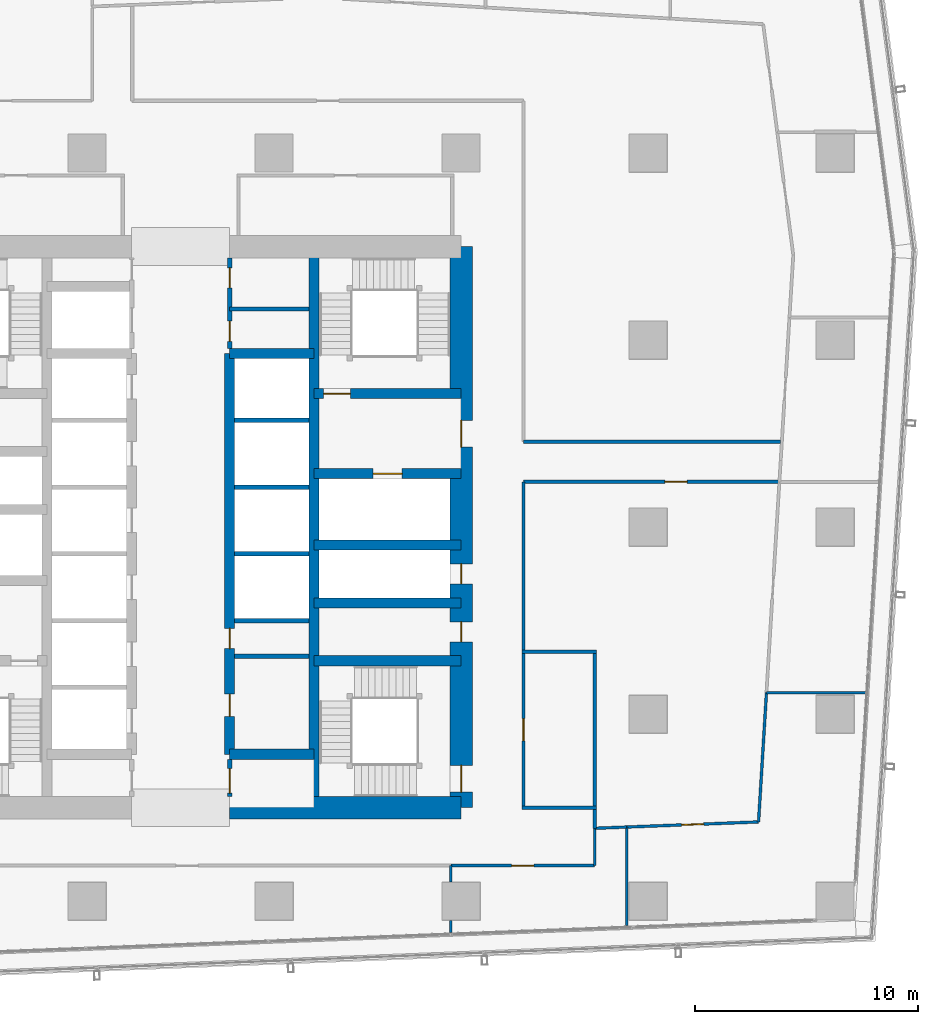
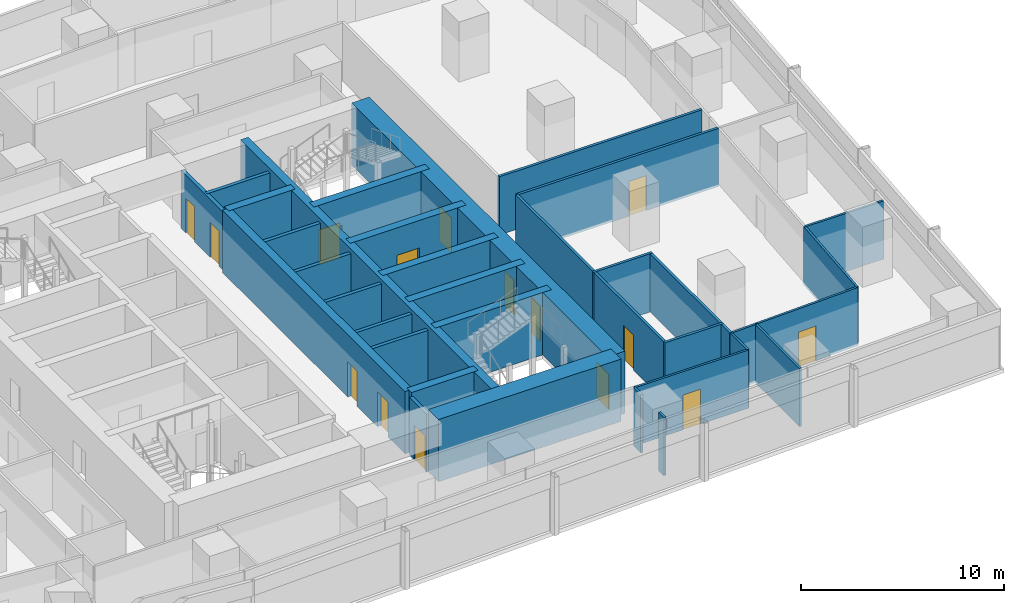
# One storey, part 30 of 40: 36 walls, 15 doors, 15 openings.
"""IFC4 building model written with IfcOpenShell, lengths in metres."""

from ifc_helpers import new_model, si_unit, direction, frame, frame_2d, origin, place, context, subcontext, project, spatial, rectangle, extrude, material, layer, layer_set, type_object, element, fill, save


model = new_model("IFC4")

# Units and contexts
model_context = context("Model", 3, precision=1e-05, world=origin(), true_north=direction((0.0, 1.0)))
body_context = subcontext(model_context, "Body", "Model", "MODEL_VIEW")
ifc_project = project(units=[si_unit("LENGTHUNIT", "METRE"), si_unit("AREAUNIT", "SQUARE_METRE"), si_unit("VOLUMEUNIT", "CUBIC_METRE"), si_unit("PLANEANGLEUNIT", "RADIAN"), si_unit("MASSUNIT", "GRAM", prefix="KILO")], contexts=[model_context])

# Site, building, storey
site_placement = place(None, origin())
site = spatial("IfcSite", under=ifc_project, at=site_placement, CompositionType="ELEMENT")
building_placement = place(site_placement, origin())
building = spatial("IfcBuilding", under=site, at=building_placement, Name="Rekha Terrace Tower", CompositionType="ELEMENT")
storey_placement = place(building_placement, frame((0.0, 0.0, 110.300048828125)))
storey = spatial("IfcBuildingStorey", under=building, at=storey_placement, Name="L27", CompositionType="ELEMENT", Elevation=110.300048828125)

# Wall
ifc_material_1 = material(Name="Concrete M70", Category="concrete")
ifc_layer_1 = layer(ifc_material_1, 0.449951171875)
ifc_layer_set_1 = layer_set([ifc_layer_1], Name="Concrete M70")
wall_type_1 = type_object("IfcWallType", Name="CI2 450 core internal shear wall", PredefinedType="SHEAR", material=ifc_layer_set_1)
wall_1_placement = place(storey_placement, frame((43.800048828125, 21.0, 0.0), z_axis=(0.0, 0.0, 1.0), x_axis=(0.0, 1.0, 0.0)))
element("IfcWall", 1, at=wall_1_placement, inside=storey, type_object=wall_type_1, Name="Core wall X438 L27", PredefinedType="SHEAR", context=body_context, shape_type="SweptSolid", body=[
    extrude(rectangle(XDim=25.199951171875, YDim=0.449951171875, at=frame_2d((12.60009765625, 0.0))), origin(), (0.0, 0.0, 1.0), 3.75),
])

# Wall, openings, doors
wall_2_placement = place(storey_placement, frame((40.0, 23.39990234375, 0.0), z_axis=(0.0, 0.0, 1.0), x_axis=(0.0, 1.0, 0.0)))
wall_2 = element("IfcWall", 2, at=wall_2_placement, inside=storey, type_object=wall_type_1, Name="Core wall X400 L27", PredefinedType="SHEAR", context=body_context, shape_type="SweptSolid", body=[
    extrude(rectangle(XDim=18.0, YDim=0.449951171875, at=frame_2d((9.0, 0.0))), origin(), (0.0, 0.0, 1.0), 3.75),
])
opening_1_placement = place(wall_2_placement, frame((1.699951171875, 0.0, 0.0)))
opening_1 = element("IfcOpeningElement", 3, at=opening_1_placement, cuts=wall_2, Name="Opening D9", PredefinedType="OPENING", context=body_context, shape_type="SweptSolid", body=[
    extrude(rectangle(XDim=1.0, YDim=2.10009765625, at=frame_2d((0.5, 1.050048828125))), frame((0.0, 0.23486328125, 0.0), z_axis=(0.0, -1.0, 0.0), x_axis=(1.0, 0.0, 0.0)), (0.0, 0.0, 1.0), 0.469970703125),
])
opening_2_placement = place(wall_2_placement, frame((4.75, 0.0, 0.0)))
opening_2 = element("IfcOpeningElement", 4, at=opening_2_placement, cuts=wall_2, Name="Opening D5", PredefinedType="OPENING", context=body_context, shape_type="SweptSolid", body=[
    extrude(rectangle(XDim=0.89990234375, YDim=2.10009765625, at=frame_2d((0.449951171875, 1.050048828125))), frame((0.0, 0.23486328125, 0.0), z_axis=(0.0, -1.0, 0.0), x_axis=(1.0, 0.0, 0.0)), (0.0, 0.0, 1.0), 0.469970703125),
])
ifc_material_2 = material(Name="Steel fire door", Category="steel")
door_type_1 = type_object("IfcDoorType", Name="D5 900x2100 riser access door", OperationType="SINGLE_SWING_LEFT", PredefinedType="DOOR", material=ifc_material_2)
door_1_placement = place(opening_2_placement, origin())
door_1 = element("IfcDoor", 5, at=door_1_placement, inside=storey, type_object=door_type_1, Name="Door records store L27", OperationType="SINGLE_SWING_LEFT", OverallHeight=2.10009765625, OverallWidth=0.89990234375, PredefinedType="DOOR", context=body_context, shape_type="SweptSolid", body=[
    extrude(rectangle(XDim=0.89990234375, YDim=2.10009765625, at=frame_2d((0.449951171875, 1.050048828125))), frame((0.0, 0.02490234375, 0.0), z_axis=(0.0, -1.0, 0.0), x_axis=(1.0, 0.0, 0.0)), (0.0, 0.0, 1.0), 0.050048828125),
])
fill(opening_2, door_1)
ifc_material_3 = material(Name="Timber fire door", Category="wood")
door_type_2 = type_object("IfcDoorType", Name="D9 1000x2100 office door", OperationType="SINGLE_SWING_LEFT", PredefinedType="DOOR", material=ifc_material_3)
door_2_placement = place(opening_1_placement, origin())
door_2 = element("IfcDoor", 6, at=door_2_placement, inside=storey, type_object=door_type_2, Name="Door pantry and vending room L27", OperationType="SINGLE_SWING_LEFT", OverallHeight=2.10009765625, OverallWidth=1.0, PredefinedType="DOOR", context=body_context, shape_type="SweptSolid", body=[
    extrude(rectangle(XDim=1.0, YDim=2.10009765625, at=frame_2d((0.5, 1.050048828125))), frame((0.0, 0.02490234375, 0.0), z_axis=(0.0, -1.0, 0.0), x_axis=(1.0, 0.0, 0.0)), (0.0, 0.0, 1.0), 0.050048828125),
])
fill(opening_1, door_2)

# Walls
for number, where, z_axis, x_axis, name in (
    (7, (40.0, 23.39990234375, 0.0), (0.0, 0.0, 1.0), (1.0, 0.0, 0.0), "Core wall Y234E L27"),
    (8, (40.0, 41.39990234375, 0.0), (0.0, 0.0, 1.0), (1.0, 0.0, 0.0), "Core wall Y414E L27"),
):
    element("IfcWall", number, at=place(storey_placement, frame(where, z_axis=z_axis, x_axis=x_axis)), inside=storey, type_object=wall_type_1, Name=name, PredefinedType="SHEAR", context=body_context, shape_type="SweptSolid", body=[
        extrude(rectangle(XDim=3.800048828125, YDim=0.449951171875, at=frame_2d((1.89990234375, 0.0))), origin(), (0.0, 0.0, 1.0), 3.75),
    ])
for number, where, z_axis, x_axis, name in (
    (9, (43.800048828125, 27.60009765625, 0.0), (0.0, 0.0, 1.0), (1.0, 0.0, 0.0), "Core wall Y276E L27"),
    (10, (43.800048828125, 30.199951171875, 0.0), (0.0, 0.0, 1.0), (1.0, 0.0, 0.0), "Core wall Y302E L27"),
    (11, (43.800048828125, 32.800048828125, 0.0), (0.0, 0.0, 1.0), (1.0, 0.0, 0.0), "Core wall Y328E L27"),
):
    element("IfcWall", number, at=place(storey_placement, frame(where, z_axis=z_axis, x_axis=x_axis)), inside=storey, type_object=wall_type_1, Name=name, PredefinedType="SHEAR", context=body_context, shape_type="SweptSolid", body=[
        extrude(rectangle(XDim=6.599853515625, YDim=0.449951171875, at=frame_2d((3.2998046875, 0.0))), origin(), (0.0, 0.0, 1.0), 3.75),
    ])

# Wall, opening, door
wall_3_placement = place(storey_placement, frame((43.800048828125, 36.0, 0.0), z_axis=(0.0, 0.0, 1.0), x_axis=(1.0, 0.0, 0.0)))
wall_3 = element("IfcWall", 12, at=wall_3_placement, inside=storey, type_object=wall_type_1, Name="Core wall Y360E L27", PredefinedType="SHEAR", context=body_context, shape_type="SweptSolid", body=[
    extrude(rectangle(XDim=6.599853515625, YDim=0.449951171875, at=frame_2d((3.2998046875, 0.0))), origin(), (0.0, 0.0, 1.0), 3.75),
])
opening_3_placement = place(wall_3_placement, frame((2.64990234375, 0.0, 0.0)))
opening_3 = element("IfcOpeningElement", 13, at=opening_3_placement, cuts=wall_3, Name="Opening LD2", PredefinedType="OPENING", context=body_context, shape_type="SweptSolid", body=[
    extrude(rectangle(XDim=1.300048828125, YDim=2.10009765625, at=frame_2d((0.64990234375, 1.050048828125))), frame((0.0, 0.23486328125, 0.0), z_axis=(0.0, -1.0, 0.0), x_axis=(1.0, 0.0, 0.0)), (0.0, 0.0, 1.0), 0.469970703125),
])
ifc_material_4 = material(Name="Stainless steel sliding landing door", Category="steel")
door_type_3 = type_object("IfcDoorType", Name="LD2 1300x2100 fire lift landing door", OperationType="SLIDING_TO_LEFT", PredefinedType="USERDEFINED", material=ifc_material_4)
door_3_placement = place(opening_3_placement, origin())
door_3 = element("IfcDoor", 14, at=door_3_placement, inside=storey, type_object=door_type_3, Name="Lift FL2 landing door L27", ObjectType="LIFT LANDING DOOR", OperationType="SLIDING_TO_LEFT", OverallHeight=2.10009765625, OverallWidth=1.300048828125, PredefinedType="USERDEFINED", context=body_context, shape_type="SweptSolid", body=[
    extrude(rectangle(XDim=1.300048828125, YDim=2.10009765625, at=frame_2d((0.64990234375, 1.050048828125))), frame((0.0, 0.02490234375, 0.0), z_axis=(0.0, -1.0, 0.0), x_axis=(1.0, 0.0, 0.0)), (0.0, 0.0, 1.0), 0.050048828125),
])
fill(opening_3, door_3)

wall_4_placement = place(storey_placement, frame((43.800048828125, 39.60009765625, 0.0), z_axis=(0.0, 0.0, 1.0), x_axis=(1.0, 0.0, 0.0)))
wall_4 = element("IfcWall", 15, at=wall_4_placement, inside=storey, type_object=wall_type_1, Name="Core wall Y396E L27", PredefinedType="SHEAR", context=body_context, shape_type="SweptSolid", body=[
    extrude(rectangle(XDim=6.599853515625, YDim=0.449951171875, at=frame_2d((3.2998046875, 0.0))), origin(), (0.0, 0.0, 1.0), 3.75),
])
opening_4_placement = place(wall_4_placement, frame((0.425048828125, 0.0, 0.0)))
opening_4 = element("IfcOpeningElement", 16, at=opening_4_placement, cuts=wall_4, Name="Opening D1", PredefinedType="OPENING", context=body_context, shape_type="SweptSolid", body=[
    extrude(rectangle(XDim=1.199951171875, YDim=2.10009765625, at=frame_2d((0.60009765625, 1.050048828125))), frame((0.0, 0.23486328125, 0.0), z_axis=(0.0, -1.0, 0.0), x_axis=(1.0, 0.0, 0.0)), (0.0, 0.0, 1.0), 0.469970703125),
])
door_type_4 = type_object("IfcDoorType", Name="D1 1200x2100 stair fire door", OperationType="SINGLE_SWING_RIGHT", PredefinedType="DOOR", material=ifc_material_2)
door_4_placement = place(opening_4_placement, origin())
door_4 = element("IfcDoor", 17, at=door_4_placement, inside=storey, type_object=door_type_4, Name="Stair ST2 door L27", OperationType="SINGLE_SWING_RIGHT", OverallHeight=2.10009765625, OverallWidth=1.199951171875, PredefinedType="DOOR", context=body_context, shape_type="SweptSolid", body=[
    extrude(rectangle(XDim=1.199951171875, YDim=2.10009765625, at=frame_2d((0.60009765625, 1.050048828125))), frame((0.0, 0.02490234375, 0.0), z_axis=(0.0, -1.0, 0.0), x_axis=(1.0, 0.0, 0.0)), (0.0, 0.0, 1.0), 0.050048828125),
])
fill(opening_4, door_4)

# Wall
ifc_layer_2 = layer(ifc_material_1, 1.0)
ifc_layer_set_2 = layer_set([ifc_layer_2], Name="Concrete M70")
wall_type_2 = type_object("IfcWallType", Name="SW2 1000 core outer shear wall", PredefinedType="SHEAR", material=ifc_layer_set_2)
wall_5_placement = place(storey_placement, frame((40.0, 21.0, 0.0), z_axis=(0.0, 0.0, 1.0), x_axis=(1.0, 0.0, 0.0)))
element("IfcWall", 18, at=wall_5_placement, inside=storey, type_object=wall_type_2, Name="Core wall S2 L27", PredefinedType="SHEAR", context=body_context, shape_type="SweptSolid", body=[
    extrude(rectangle(XDim=10.39990234375, YDim=1.0, at=frame_2d((5.199951171875, 0.0))), origin(), (0.0, 0.0, 1.0), 3.75),
])

# Wall, openings, doors
wall_6_placement = place(storey_placement, frame((50.39990234375, 21.0, 0.0), z_axis=(0.0, 0.0, 1.0), x_axis=(0.0, 1.0, 0.0)))
wall_6 = element("IfcWall", 19, at=wall_6_placement, inside=storey, type_object=wall_type_2, Name="Core wall E L27", PredefinedType="SHEAR", context=body_context, shape_type="SweptSolid", body=[
    extrude(rectangle(XDim=25.199951171875, YDim=1.0, at=frame_2d((12.60009765625, 0.0))), origin(), (0.0, 0.0, 1.0), 3.75),
])
opening_5_placement = place(wall_6_placement, frame((16.199951171875, 0.0, 0.0)))
opening_5 = element("IfcOpeningElement", 20, at=opening_5_placement, cuts=wall_6, Name="Opening D2", PredefinedType="OPENING", context=body_context, shape_type="SweptSolid", body=[
    extrude(rectangle(XDim=1.199951171875, YDim=2.10009765625, at=frame_2d((0.60009765625, 1.050048828125))), frame((0.0, 0.510009765625, 0.0), z_axis=(0.0, -1.0, 0.0), x_axis=(1.0, 0.0, 0.0)), (0.0, 0.0, 1.0), 1.02001953125),
])
opening_6_placement = place(wall_6_placement, frame((10.050048828125, 0.0, 0.0)))
opening_6 = element("IfcOpeningElement", 21, at=opening_6_placement, cuts=wall_6, Name="Opening D5", PredefinedType="OPENING", context=body_context, shape_type="SweptSolid", body=[
    extrude(rectangle(XDim=0.89990234375, YDim=2.10009765625, at=frame_2d((0.449951171875, 1.050048828125))), frame((0.0, 0.510009765625, 0.0), z_axis=(0.0, -1.0, 0.0), x_axis=(1.0, 0.0, 0.0)), (0.0, 0.0, 1.0), 1.02001953125),
])
opening_7_placement = place(wall_6_placement, frame((7.449951171875, 0.0, 0.0)))
opening_7 = element("IfcOpeningElement", 22, at=opening_7_placement, cuts=wall_6, Name="Opening D5", PredefinedType="OPENING", context=body_context, shape_type="SweptSolid", body=[
    extrude(rectangle(XDim=0.89990234375, YDim=2.10009765625, at=frame_2d((0.449951171875, 1.050048828125))), frame((0.0, 0.510009765625, 0.0), z_axis=(0.0, -1.0, 0.0), x_axis=(1.0, 0.0, 0.0)), (0.0, 0.0, 1.0), 1.02001953125),
])
opening_8_placement = place(wall_6_placement, frame((0.699951171875, 0.0, 0.0)))
opening_8 = element("IfcOpeningElement", 23, at=opening_8_placement, cuts=wall_6, Name="Opening D1", PredefinedType="OPENING", context=body_context, shape_type="SweptSolid", body=[
    extrude(rectangle(XDim=1.199951171875, YDim=2.10009765625, at=frame_2d((0.60009765625, 1.050048828125))), frame((0.0, 0.510009765625, 0.0), z_axis=(0.0, -1.0, 0.0), x_axis=(1.0, 0.0, 0.0)), (0.0, 0.0, 1.0), 1.02001953125),
])
door_5_placement = place(opening_8_placement, origin())
door_5 = element("IfcDoor", 24, at=door_5_placement, inside=storey, type_object=door_type_4, Name="Stair ST3 door L27", OperationType="SINGLE_SWING_RIGHT", OverallHeight=2.10009765625, OverallWidth=1.199951171875, PredefinedType="DOOR", context=body_context, shape_type="SweptSolid", body=[
    extrude(rectangle(XDim=1.199951171875, YDim=2.10009765625, at=frame_2d((0.60009765625, 1.050048828125))), frame((0.0, 0.02490234375, 0.0), z_axis=(0.0, -1.0, 0.0), x_axis=(1.0, 0.0, 0.0)), (0.0, 0.0, 1.0), 0.050048828125),
])
fill(opening_8, door_5)
door_type_5 = type_object("IfcDoorType", Name="D2 1200x2100 firefighting lobby door", OperationType="SINGLE_SWING_LEFT", PredefinedType="DOOR", material=ifc_material_2)
door_6_placement = place(opening_5_placement, origin())
door_6 = element("IfcDoor", 25, at=door_6_placement, inside=storey, type_object=door_type_5, Name="Door flb2 L27", OperationType="SINGLE_SWING_LEFT", OverallHeight=2.10009765625, OverallWidth=1.199951171875, PredefinedType="DOOR", context=body_context, shape_type="SweptSolid", body=[
    extrude(rectangle(XDim=1.199951171875, YDim=2.10009765625, at=frame_2d((0.60009765625, 1.050048828125))), frame((0.0, 0.02490234375, 0.0), z_axis=(0.0, -1.0, 0.0), x_axis=(1.0, 0.0, 0.0)), (0.0, 0.0, 1.0), 0.050048828125),
])
fill(opening_5, door_6)
door_7_placement = place(opening_6_placement, origin())
door_7 = element("IfcDoor", 26, at=door_7_placement, inside=storey, type_object=door_type_1, Name="Door rs2 L27", OperationType="SINGLE_SWING_LEFT", OverallHeight=2.10009765625, OverallWidth=0.89990234375, PredefinedType="DOOR", context=body_context, shape_type="SweptSolid", body=[
    extrude(rectangle(XDim=0.89990234375, YDim=2.10009765625, at=frame_2d((0.449951171875, 1.050048828125))), frame((0.0, 0.02490234375, 0.0), z_axis=(0.0, -1.0, 0.0), x_axis=(1.0, 0.0, 0.0)), (0.0, 0.0, 1.0), 0.050048828125),
])
fill(opening_6, door_7)
door_8_placement = place(opening_7_placement, origin())
door_8 = element("IfcDoor", 27, at=door_8_placement, inside=storey, type_object=door_type_1, Name="Door ele L27", OperationType="SINGLE_SWING_LEFT", OverallHeight=2.10009765625, OverallWidth=0.89990234375, PredefinedType="DOOR", context=body_context, shape_type="SweptSolid", body=[
    extrude(rectangle(XDim=0.89990234375, YDim=2.10009765625, at=frame_2d((0.449951171875, 1.050048828125))), frame((0.0, 0.02490234375, 0.0), z_axis=(0.0, -1.0, 0.0), x_axis=(1.0, 0.0, 0.0)), (0.0, 0.0, 1.0), 0.050048828125),
])
fill(opening_7, door_8)

# Walls
ifc_material_5 = material(Name="Concrete block masonry, 1 hour", Category="masonry")
ifc_layer_3 = layer(ifc_material_5, 0.14990234375)
ifc_layer_set_3 = layer_set([ifc_layer_3], Name="Concrete block masonry, 1 hour")
wall_type_3 = type_object("IfcWallType", Name="WP2 150 tenancy partition", PredefinedType="PARTITIONING", material=ifc_layer_set_3)
for number, where, z_axis, x_axis, name in (
    (28, (53.125, 21.0, 0.0), (0.0, 0.0, 1.0), (1.0, 0.0, 0.0), "Men's WC wall L27"),
    (29, (53.125, 28.0, 0.0), (0.0, 0.0, 1.0), (1.0, 0.0, 0.0), "Men's WC wall L27"),
):
    element("IfcWall", number, at=place(storey_placement, frame(where, z_axis=z_axis, x_axis=x_axis)), inside=storey, type_object=wall_type_3, Name=name, PredefinedType="PARTITIONING", context=body_context, shape_type="SweptSolid", body=[
        extrude(rectangle(XDim=3.35009765625, YDim=0.14990234375, at=frame_2d((1.675048828125, 0.0))), origin(), (0.0, 0.0, 1.0), 3.5),
    ])

# Wall, opening, door
wall_7_placement = place(storey_placement, frame((53.199951171875, 21.074951171875, 0.0), z_axis=(0.0, 0.0, 1.0), x_axis=(0.0, 1.0, 0.0)))
wall_7 = element("IfcWall", 30, at=wall_7_placement, inside=storey, type_object=wall_type_3, Name="Men's WC wall L27", PredefinedType="PARTITIONING", context=body_context, shape_type="SweptSolid", body=[
    extrude(rectangle(XDim=6.85009765625, YDim=0.14990234375, at=frame_2d((3.425048828125, 0.0))), origin(), (0.0, 0.0, 1.0), 3.5),
])
opening_9_placement = place(wall_7_placement, frame((2.925048828125, 0.0, 0.0)))
opening_9 = element("IfcOpeningElement", 31, at=opening_9_placement, cuts=wall_7, Name="Opening D3", PredefinedType="OPENING", context=body_context, shape_type="SweptSolid", body=[
    extrude(rectangle(XDim=1.0, YDim=2.10009765625, at=frame_2d((0.5, 1.050048828125))), frame((0.0, 0.0849609375, 0.0), z_axis=(0.0, -1.0, 0.0), x_axis=(1.0, 0.0, 0.0)), (0.0, 0.0, 1.0), 0.169921875),
])
ifc_material_6 = material(Name="Laminated timber fire door", Category="wood")
door_type_6 = type_object("IfcDoorType", Name="D3 1000x2100 WC door", OperationType="SINGLE_SWING_LEFT", PredefinedType="DOOR", material=ifc_material_6)
door_9_placement = place(opening_9_placement, origin())
door_9 = element("IfcDoor", 32, at=door_9_placement, inside=storey, type_object=door_type_6, Name="Door men's wc L27", OperationType="SINGLE_SWING_LEFT", OverallHeight=2.10009765625, OverallWidth=1.0, PredefinedType="DOOR", context=body_context, shape_type="SweptSolid", body=[
    extrude(rectangle(XDim=1.0, YDim=2.10009765625, at=frame_2d((0.5, 1.050048828125))), frame((0.0, 0.02490234375, 0.0), z_axis=(0.0, -1.0, 0.0), x_axis=(1.0, 0.0, 0.0)), (0.0, 0.0, 1.0), 0.050048828125),
])
fill(opening_9, door_9)

# Walls
wall_8_placement = place(storey_placement, frame((56.39990234375, 21.074951171875, 0.0), z_axis=(0.0, 0.0, 1.0), x_axis=(0.0, 1.0, 0.0)))
element("IfcWall", 33, at=wall_8_placement, inside=storey, type_object=wall_type_3, Name="Men's WC wall L27", PredefinedType="PARTITIONING", context=body_context, shape_type="SweptSolid", body=[
    extrude(rectangle(XDim=6.85009765625, YDim=0.14990234375, at=frame_2d((3.425048828125, 0.0))), origin(), (0.0, 0.0, 1.0), 3.5),
])
wall_9_placement = place(storey_placement, frame((64.741943359375, 37.43701171875, 0.0), z_axis=(0.0, 0.0, 1.0), x_axis=(-1.0, 0.0, 0.0)))
element("IfcWall", 34, at=wall_9_placement, inside=storey, type_object=wall_type_3, Name="Partition L27-O1", PredefinedType="PARTITIONING", context=body_context, shape_type="SweptSolid", body=[
    extrude(rectangle(XDim=11.5419921875, YDim=0.14990234375, at=frame_2d((5.77099609375, 0.0))), origin(), (0.0, 0.0, 1.0), 3.5),
])
wall_10_placement = place(storey_placement, frame((56.39990234375, 20.073974609375, 0.0), z_axis=(0.0, 0.0, 1.0), x_axis=(0.0, 1.0, 0.0)))
element("IfcWall", 35, at=wall_10_placement, inside=storey, type_object=wall_type_3, Name="Partition L27-O1b", PredefinedType="PARTITIONING", context=body_context, shape_type="SweptSolid", body=[
    extrude(rectangle(XDim=0.85107421875, YDim=0.14990234375, at=frame_2d((0.425537109375, 0.0))), origin(), (0.0, 0.0, 1.0), 3.5),
])
wall_11_placement = place(storey_placement, frame((53.199951171875, 28.074951171875, 0.0), z_axis=(0.0, 0.0, 1.0), x_axis=(0.0, 1.0, 0.0)))
element("IfcWall", 36, at=wall_11_placement, inside=storey, type_object=wall_type_3, Name="Partition L27-O1b", PredefinedType="PARTITIONING", context=body_context, shape_type="SweptSolid", body=[
    extrude(rectangle(XDim=7.56201171875, YDim=0.14990234375, at=frame_2d((3.781005859375, 0.0))), origin(), (0.0, 0.0, 1.0), 3.5),
])

# Wall, opening, door
wall_12_placement = place(storey_placement, frame((53.199951171875, 35.636962890625, 0.0), z_axis=(0.0, 0.0, 1.0), x_axis=(1.0, 0.0, 0.0)))
wall_12 = element("IfcWall", 37, at=wall_12_placement, inside=storey, type_object=wall_type_3, Name="Partition L27-O1b", PredefinedType="PARTITIONING", context=body_context, shape_type="SweptSolid", body=[
    extrude(rectangle(XDim=11.445068359375, YDim=0.14990234375, at=frame_2d((5.72265625, 0.0))), origin(), (0.0, 0.0, 1.0), 3.5),
])
opening_10_placement = place(wall_12_placement, frame((6.346923828125, 0.0, 0.0)))
opening_10 = element("IfcOpeningElement", 38, at=opening_10_placement, cuts=wall_12, Name="Opening D9", PredefinedType="OPENING", context=body_context, shape_type="SweptSolid", body=[
    extrude(rectangle(XDim=1.0, YDim=2.10009765625, at=frame_2d((0.5, 1.050048828125))), frame((0.0, 0.0849609375, 0.0), z_axis=(0.0, -1.0, 0.0), x_axis=(1.0, 0.0, 0.0)), (0.0, 0.0, 1.0), 0.169921875),
])
door_10_placement = place(opening_10_placement, origin())
door_10 = element("IfcDoor", 39, at=door_10_placement, inside=storey, type_object=door_type_2, Name="Door open-plan office L27", OperationType="SINGLE_SWING_LEFT", OverallHeight=2.10009765625, OverallWidth=1.0, PredefinedType="DOOR", context=body_context, shape_type="SweptSolid", body=[
    extrude(rectangle(XDim=1.0, YDim=2.10009765625, at=frame_2d((0.5, 1.050048828125))), frame((0.0, 0.02490234375, 0.0), z_axis=(0.0, -1.0, 0.0), x_axis=(1.0, 0.0, 0.0)), (0.0, 0.0, 1.0), 0.050048828125),
])
fill(opening_10, door_10)

ifc_material_7 = material(Name="Two layers of fire-rated gypsum board each side on steel studs, acoustic quilt, 1 hour", Category="steel")
ifc_layer_4 = layer(ifc_material_7, 0.125)
ifc_layer_set_4 = layer_set([ifc_layer_4], Name="Two layers of fire-rated gypsum board each side on steel studs, acoustic quilt, 1 hour")
wall_type_4 = type_object("IfcWallType", Name="WP3 125 office partition", PredefinedType="PARTITIONING", material=ifc_layer_set_4)
wall_13_placement = place(storey_placement, frame((49.93701171875, 18.39990234375, 0.0), z_axis=(0.0, 0.0, 1.0), x_axis=(1.0, 0.0, 0.0)))
wall_13 = element("IfcWall", 40, at=wall_13_placement, inside=storey, type_object=wall_type_4, Name="Partition L27-02", PredefinedType="PARTITIONING", context=body_context, shape_type="SweptSolid", body=[
    extrude(rectangle(XDim=6.462890625, YDim=0.125, at=frame_2d((3.2314453125, 0.0))), origin(), (0.0, 0.0, 1.0), 3.5),
])
opening_11_placement = place(wall_13_placement, frame((2.73095703125, 0.0, 0.0)))
opening_11 = element("IfcOpeningElement", 41, at=opening_11_placement, cuts=wall_13, Name="Opening D9", PredefinedType="OPENING", context=body_context, shape_type="SweptSolid", body=[
    extrude(rectangle(XDim=1.0, YDim=2.10009765625, at=frame_2d((0.5, 1.050048828125))), frame((0.0, 0.072509765625, 0.0), z_axis=(0.0, -1.0, 0.0), x_axis=(1.0, 0.0, 0.0)), (0.0, 0.0, 1.0), 0.14501953125),
])
door_11_placement = place(opening_11_placement, origin())
door_11 = element("IfcDoor", 42, at=door_11_placement, inside=storey, type_object=door_type_2, Name="Door meeting room L27", OperationType="SINGLE_SWING_LEFT", OverallHeight=2.10009765625, OverallWidth=1.0, PredefinedType="DOOR", context=body_context, shape_type="SweptSolid", body=[
    extrude(rectangle(XDim=1.0, YDim=2.10009765625, at=frame_2d((0.5, 1.050048828125))), frame((0.0, 0.02490234375, 0.0), z_axis=(0.0, -1.0, 0.0), x_axis=(1.0, 0.0, 0.0)), (0.0, 0.0, 1.0), 0.050048828125),
])
fill(opening_11, door_11)

# Walls
wall_14_placement = place(storey_placement, frame((56.39990234375, 18.39990234375, 0.0), z_axis=(0.0, 0.0, 1.0), x_axis=(0.0, 1.0, 0.0)))
element("IfcWall", 43, at=wall_14_placement, inside=storey, type_object=wall_type_4, Name="Partition L27-02", PredefinedType="PARTITIONING", context=body_context, shape_type="SweptSolid", body=[
    extrude(rectangle(XDim=1.674072265625, YDim=0.125, at=frame_2d((0.8369140625, 0.0))), origin(), (0.0, 0.0, 1.0), 3.5),
])
wall_15_placement = place(storey_placement, frame((56.39990234375, 20.073974609375, 0.0), z_axis=(0.0, 0.0, 1.0), x_axis=(0.999242997058, 0.038902864047, 0.0)))
element("IfcWall", 44, at=wall_15_placement, inside=storey, type_object=wall_type_4, Name="Partition L27-02", PredefinedType="PARTITIONING", context=body_context, shape_type="SweptSolid", body=[
    extrude(rectangle(XDim=1.43701171875, YDim=0.125, at=frame_2d((0.718505859375, 0.0))), origin(), (0.0, 0.0, 1.0), 3.5),
])
wall_16_placement = place(storey_placement, frame((57.8359375, 20.1298828125, 0.0), z_axis=(0.0, 0.0, 1.0), x_axis=(0.0, -1.0, 0.0)))
element("IfcWall", 45, at=wall_16_placement, inside=storey, type_object=wall_type_4, Name="Partition L27-02", PredefinedType="PARTITIONING", context=body_context, shape_type="SweptSolid", body=[
    extrude(rectangle(XDim=4.423828125, YDim=0.125, at=frame_2d((2.2119140625, 0.0))), origin(), (0.0, 0.0, 1.0), 3.5),
])
wall_17_placement = place(storey_placement, frame((49.93701171875, 15.39892578125, 0.0), z_axis=(0.0, 0.0, 1.0), x_axis=(0.0, 1.0, 0.0)))
element("IfcWall", 46, at=wall_17_placement, inside=storey, type_object=wall_type_4, Name="Partition L27-02", PredefinedType="PARTITIONING", context=body_context, shape_type="SweptSolid", body=[
    extrude(rectangle(XDim=0.531005859375, YDim=0.125, at=frame_2d((0.265625, 0.0))), origin(), (0.0, 0.0, 1.0), 3.5),
])
wall_18_placement = place(storey_placement, frame((49.93701171875, 17.669921875, 0.0), z_axis=(0.0, 0.0, 1.0), x_axis=(0.0, 1.0, 0.0)))
element("IfcWall", 47, at=wall_18_placement, inside=storey, type_object=wall_type_4, Name="Partition L27-02", PredefinedType="PARTITIONING", context=body_context, shape_type="SweptSolid", body=[
    extrude(rectangle(XDim=0.72998046875, YDim=0.125, at=frame_2d((0.364990234375, 0.0))), origin(), (0.0, 0.0, 1.0), 3.5),
])

# Wall, opening, door
wall_19_placement = place(storey_placement, frame((57.8369140625, 20.1298828125, 0.0), z_axis=(0.0, 0.0, 1.0), x_axis=(0.999244959279, 0.038852430487, 0.0)))
wall_19 = element("IfcWall", 48, at=wall_19_placement, inside=storey, type_object=wall_type_4, Name="Partition L27-03", PredefinedType="PARTITIONING", context=body_context, shape_type="SweptSolid", body=[
    extrude(rectangle(XDim=5.925537109375, YDim=0.125, at=frame_2d((2.962890625, 0.0))), origin(), (0.0, 0.0, 1.0), 3.5),
])
opening_12_placement = place(wall_19_placement, frame((2.462890625, 0.0, 0.0)))
opening_12 = element("IfcOpeningElement", 49, at=opening_12_placement, cuts=wall_19, Name="Opening D9", PredefinedType="OPENING", context=body_context, shape_type="SweptSolid", body=[
    extrude(rectangle(XDim=1.0, YDim=2.10009765625, at=frame_2d((0.5, 1.050048828125))), frame((0.0, 0.072509765625, 0.0), z_axis=(0.0, -1.0, 0.0), x_axis=(1.0, 0.0, 0.0)), (0.0, 0.0, 1.0), 0.14501953125),
])
door_12_placement = place(opening_12_placement, origin())
door_12 = element("IfcDoor", 50, at=door_12_placement, inside=storey, type_object=door_type_2, Name="Door manager's office L27", OperationType="SINGLE_SWING_LEFT", OverallHeight=2.10009765625, OverallWidth=1.0, PredefinedType="DOOR", context=body_context, shape_type="SweptSolid", body=[
    extrude(rectangle(XDim=1.0, YDim=2.10009765625, at=frame_2d((0.5, 1.050048828125))), frame((0.0, 0.02490234375, 0.0), z_axis=(0.0, -1.0, 0.0), x_axis=(1.0, 0.0, 0.0)), (0.0, 0.0, 1.0), 0.050048828125),
])
fill(opening_12, door_12)

# Walls
wall_20_placement = place(storey_placement, frame((63.758056640625, 20.360107421875, 0.0), z_axis=(0.0, 0.0, 1.0), x_axis=(0.06119454608, 0.99812585756, 0.0)))
element("IfcWall", 51, at=wall_20_placement, inside=storey, type_object=wall_type_4, Name="Partition L27-03", PredefinedType="PARTITIONING", context=body_context, shape_type="SweptSolid", body=[
    extrude(rectangle(XDim=5.81689453125, YDim=0.125, at=frame_2d((2.908447265625, 0.0))), origin(), (0.0, 0.0, 1.0), 3.5),
])
wall_21_placement = place(storey_placement, frame((64.114013671875, 26.166015625, 0.0), z_axis=(0.0, 0.0, 1.0), x_axis=(1.0, 0.0, 0.0)))
element("IfcWall", 52, at=wall_21_placement, inside=storey, type_object=wall_type_4, Name="Partition L27-03", PredefinedType="PARTITIONING", context=body_context, shape_type="SweptSolid", body=[
    extrude(rectangle(XDim=4.4580078125, YDim=0.125, at=frame_2d((2.22900390625, 0.0))), origin(), (0.0, 0.0, 1.0), 3.5),
])
ifc_material_8 = material(Name="Solid concrete block masonry, 2 hour", Category="masonry")
ifc_layer_5 = layer(ifc_material_8, 0.199951171875)
ifc_layer_set_5 = layer_set([ifc_layer_5], Name="Solid concrete block masonry, 2 hour")
wall_type_5 = type_object("IfcWallType", Name="WS1 200 stair and shaft enclosure", PredefinedType="PARTITIONING", material=ifc_layer_set_5)
for number, where, z_axis, x_axis, name in (
    (53, (40.22509765625, 29.39990234375, 0.0), (0.0, 0.0, 1.0), (1.0, 0.0, 0.0), "Lift shaft divider L27"),
    (54, (40.22509765625, 32.39990234375, 0.0), (0.0, 0.0, 1.0), (1.0, 0.0, 0.0), "Lift shaft divider L27"),
    (55, (40.22509765625, 35.39990234375, 0.0), (0.0, 0.0, 1.0), (1.0, 0.0, 0.0), "Lift shaft divider L27"),
    (56, (40.22509765625, 38.39990234375, 0.0), (0.0, 0.0, 1.0), (1.0, 0.0, 0.0), "Lift shaft divider L27"),
):
    element("IfcWall", number, at=place(storey_placement, frame(where, z_axis=z_axis, x_axis=x_axis)), inside=storey, type_object=wall_type_5, Name=name, PredefinedType="PARTITIONING", context=body_context, shape_type="SweptSolid", body=[
        extrude(rectangle(XDim=3.349853515625, YDim=0.199951171875, at=frame_2d((1.6748046875, 0.0))), origin(), (0.0, 0.0, 1.0), 3.5),
    ])

# Wall, opening, door
wall_22_placement = place(storey_placement, frame((40.0, 21.5, 0.0), z_axis=(0.0, 0.0, 1.0), x_axis=(0.0, 1.0, 0.0)))
wall_22 = element("IfcWall", 57, at=wall_22_placement, inside=storey, type_object=wall_type_5, Name="Core partition wca L27", PredefinedType="PARTITIONING", context=body_context, shape_type="SweptSolid", body=[
    extrude(rectangle(XDim=1.675048828125, YDim=0.199951171875, at=frame_2d((0.83740234375, 0.0))), origin(), (0.0, 0.0, 1.0), 3.5),
])
opening_13_placement = place(wall_22_placement, frame((0.14990234375, 0.0, 0.0)))
opening_13 = element("IfcOpeningElement", 58, at=opening_13_placement, cuts=wall_22, Name="Opening D4", PredefinedType="OPENING", context=body_context, shape_type="SweptSolid", body=[
    extrude(rectangle(XDim=1.10009765625, YDim=2.10009765625, at=frame_2d((0.550048828125, 1.050048828125))), frame((0.0, 0.10986328125, 0.0), z_axis=(0.0, -1.0, 0.0), x_axis=(1.0, 0.0, 0.0)), (0.0, 0.0, 1.0), 0.219970703125),
])
door_type_7 = type_object("IfcDoorType", Name="D4 1100x2100 accessible WC door", OperationType="SLIDING_TO_LEFT", PredefinedType="DOOR", material=ifc_material_6)
door_13_placement = place(opening_13_placement, origin())
door_13 = element("IfcDoor", 59, at=door_13_placement, inside=storey, type_object=door_type_7, Name="Door wca L27", OperationType="SLIDING_TO_LEFT", OverallHeight=2.10009765625, OverallWidth=1.10009765625, PredefinedType="DOOR", context=body_context, shape_type="SweptSolid", body=[
    extrude(rectangle(XDim=1.10009765625, YDim=2.10009765625, at=frame_2d((0.550048828125, 1.050048828125))), frame((0.0, 0.02490234375, 0.0), z_axis=(0.0, -1.0, 0.0), x_axis=(1.0, 0.0, 0.0)), (0.0, 0.0, 1.0), 0.050048828125),
])
fill(opening_13, door_13)

# Wall, openings, doors
wall_23_placement = place(storey_placement, frame((40.0, 41.625, 0.0), z_axis=(0.0, 0.0, 1.0), x_axis=(0.0, 1.0, 0.0)))
wall_23 = element("IfcWall", 60, at=wall_23_placement, inside=storey, type_object=wall_type_5, Name="Core partition elec L27", PredefinedType="PARTITIONING", context=body_context, shape_type="SweptSolid", body=[
    extrude(rectangle(XDim=4.074951171875, YDim=0.199951171875, at=frame_2d((2.03759765625, 0.0))), origin(), (0.0, 0.0, 1.0), 3.5),
])
opening_14_placement = place(wall_23_placement, frame((2.72509765625, 0.0, 0.0)))
opening_14 = element("IfcOpeningElement", 61, at=opening_14_placement, cuts=wall_23, Name="Opening D5", PredefinedType="OPENING", context=body_context, shape_type="SweptSolid", body=[
    extrude(rectangle(XDim=0.89990234375, YDim=2.10009765625, at=frame_2d((0.449951171875, 1.050048828125))), frame((0.0, 0.10986328125, 0.0), z_axis=(0.0, -1.0, 0.0), x_axis=(1.0, 0.0, 0.0)), (0.0, 0.0, 1.0), 0.219970703125),
])
opening_15_placement = place(wall_23_placement, frame((0.324951171875, 0.0, 0.0)))
opening_15 = element("IfcOpeningElement", 62, at=opening_15_placement, cuts=wall_23, Name="Opening D5", PredefinedType="OPENING", context=body_context, shape_type="SweptSolid", body=[
    extrude(rectangle(XDim=0.89990234375, YDim=2.10009765625, at=frame_2d((0.449951171875, 1.050048828125))), frame((0.0, 0.10986328125, 0.0), z_axis=(0.0, -1.0, 0.0), x_axis=(1.0, 0.0, 0.0)), (0.0, 0.0, 1.0), 0.219970703125),
])
door_14_placement = place(opening_14_placement, origin())
door_14 = element("IfcDoor", 63, at=door_14_placement, inside=storey, type_object=door_type_1, Name="Door electrical room L27", OperationType="SINGLE_SWING_LEFT", OverallHeight=2.10009765625, OverallWidth=0.89990234375, PredefinedType="DOOR", context=body_context, shape_type="SweptSolid", body=[
    extrude(rectangle(XDim=0.89990234375, YDim=2.10009765625, at=frame_2d((0.449951171875, 1.050048828125))), frame((0.0, 0.02490234375, 0.0), z_axis=(0.0, -1.0, 0.0), x_axis=(1.0, 0.0, 0.0)), (0.0, 0.0, 1.0), 0.050048828125),
])
fill(opening_14, door_14)
door_15_placement = place(opening_15_placement, origin())
door_15 = element("IfcDoor", 64, at=door_15_placement, inside=storey, type_object=door_type_1, Name="Door records store L27", OperationType="SINGLE_SWING_LEFT", OverallHeight=2.10009765625, OverallWidth=0.89990234375, PredefinedType="DOOR", context=body_context, shape_type="SweptSolid", body=[
    extrude(rectangle(XDim=0.89990234375, YDim=2.10009765625, at=frame_2d((0.449951171875, 1.050048828125))), frame((0.0, 0.02490234375, 0.0), z_axis=(0.0, -1.0, 0.0), x_axis=(1.0, 0.0, 0.0)), (0.0, 0.0, 1.0), 0.050048828125),
])
fill(opening_15, door_15)

# Walls
wall_24_placement = place(storey_placement, frame((40.22509765625, 27.800048828125, 0.0), z_axis=(0.0, 0.0, 1.0), x_axis=(1.0, 0.0, 0.0)))
element("IfcWall", 65, at=wall_24_placement, inside=storey, type_object=wall_type_5, Name="Core partition freed shafts L27", PredefinedType="PARTITIONING", context=body_context, shape_type="SweptSolid", body=[
    extrude(rectangle(XDim=3.349853515625, YDim=0.199951171875, at=frame_2d((1.6748046875, 0.0))), origin(), (0.0, 0.0, 1.0), 3.5),
])
wall_25_placement = place(storey_placement, frame((40.0, 43.39990234375, 0.0), z_axis=(0.0, 0.0, 1.0), x_axis=(1.0, 0.0, 0.0)))
element("IfcWall", 66, at=wall_25_placement, inside=storey, type_object=wall_type_5, Name="Core partition elx L27", PredefinedType="PARTITIONING", context=body_context, shape_type="SweptSolid", body=[
    extrude(rectangle(XDim=3.574951171875, YDim=0.199951171875, at=frame_2d((1.78759765625, 0.0))), origin(), (0.0, 0.0, 1.0), 3.5),
])

save(model, "model.ifc")
